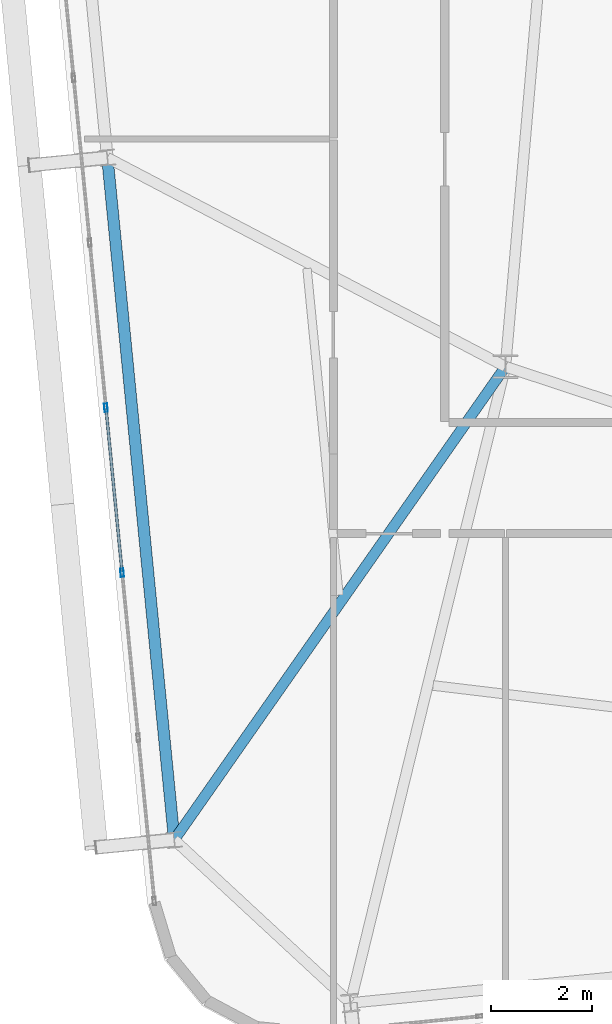
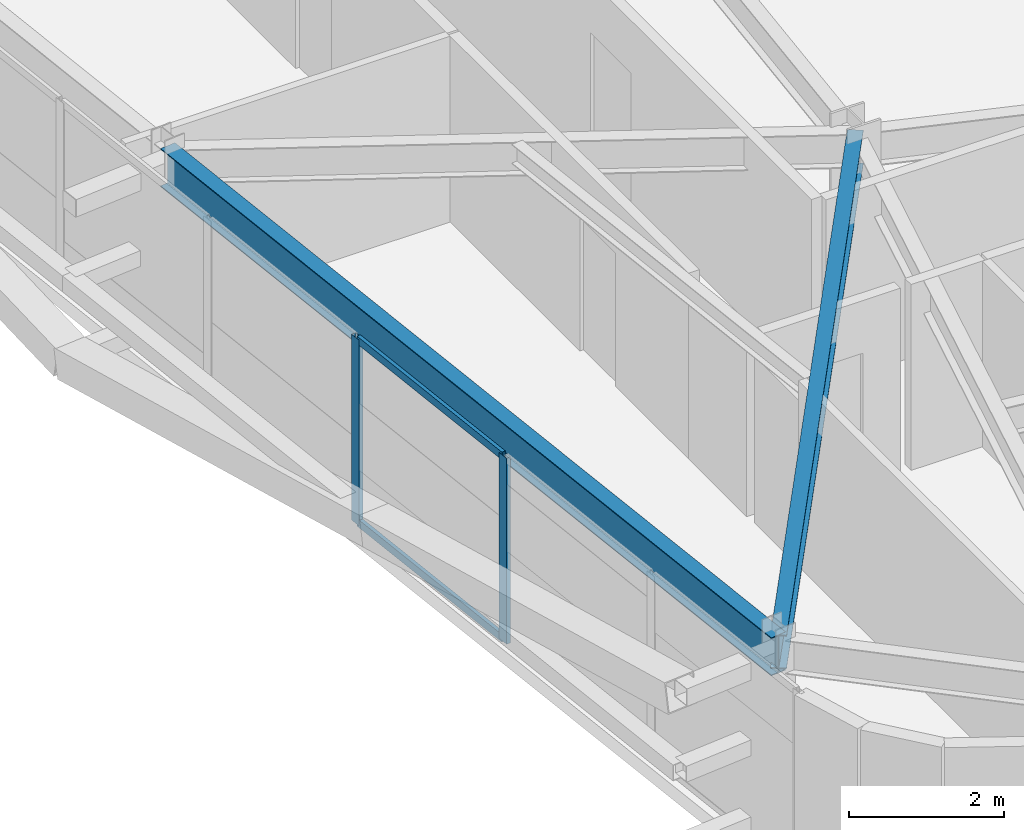
# One storey, part 8 of 52: 4 members, 2 beams, 1 element without a shape of its own.
"""IFC4 building model written with IfcOpenShell, lengths in metres."""

from ifc_helpers import new_model, si_unit, direction, frame, origin, origin_2d, place, context, subcontext, project, spatial, hollow_rectangle, i_section, extrude, source, transform, mapped, material, layer, layer_set, material_profile, profile_set, type_object, element, aggregate, save


model = new_model("IFC4")

# Units and contexts
model_context = context("Model", 3, precision=1e-05, world=origin(), true_north=direction((0.0, 1.0)))
body_context = subcontext(model_context, "Body", "Model", "MODEL_VIEW")
ifc_project = project(units=[si_unit("LENGTHUNIT", "METRE"), si_unit("AREAUNIT", "SQUARE_METRE"), si_unit("VOLUMEUNIT", "CUBIC_METRE"), si_unit("PLANEANGLEUNIT", "RADIAN"), si_unit("MASSUNIT", "GRAM", prefix="KILO")], contexts=[model_context])

# Site, building, storey
site_placement = place(None, origin())
site = spatial("IfcSite", under=ifc_project, at=site_placement, CompositionType="ELEMENT")
building_placement = place(site_placement, origin())
building = spatial("IfcBuilding", under=site, at=building_placement, Name="Taldren Reach Tower", CompositionType="ELEMENT")
storey_placement = place(building_placement, frame((0.0, 0.0, 96.60009765625)))
storey = spatial("IfcBuildingStorey", under=building, at=storey_placement, Name="L29", CompositionType="ELEMENT", Elevation=96.60009765625)

# Beams
ifc_material_1 = material(Name="Steel Gr 350 (350PLUS)", Category="steel")
ifc_material_profile_1 = material_profile(ifc_material_1, i_section(OverallWidth=0.22802734375, OverallDepth=0.60205078125, WebThickness=0.010498046875, FlangeThickness=0.014892578125, at=origin_2d()), Name="610UB101")
ifc_profile_set_1 = profile_set([ifc_material_profile_1], Name="Steel Gr 350 (350PLUS)")
beam_type_1 = type_object("IfcBeamType", Name="BM-UB610B", PredefinedType="BEAM", material=ifc_profile_set_1)
shared_shape_1 = source(origin(), body_context, "Body", "SweptSolid", [
    extrude(i_section(OverallWidth=0.22802734375, OverallDepth=0.60205078125, WebThickness=0.010498046875, FlangeThickness=0.014892578125, at=origin_2d()), origin(), (0.0, 0.0, 1.0), 13.550048828125),
])
beam_1_placement = place(storey_placement, frame((10.130615234375, 16.631103515625, 2.62890625), z_axis=(0.097584021339, -0.995227290009, 0.0), x_axis=(0.995227290009, 0.097584021339, 0.0)))
element("IfcBeam", 1, at=beam_1_placement, inside=storey, type_object=beam_type_1, Name="Perimeter gable girder B2 W2-W1 L29", PredefinedType="BEAM", context=body_context, shape_type="MappedRepresentation", body=[
    mapped(shared_shape_1, transform((0.0, 0.0, 0.0), scale=1.0)),
])
ifc_material_profile_2 = material_profile(ifc_material_1, i_section(OverallWidth=0.208984375, OverallDepth=0.532958984375, WebThickness=0.01025390625, FlangeThickness=0.015625, at=origin_2d()), Name="530UB92.4")
ifc_profile_set_2 = profile_set([ifc_material_profile_2], Name="Steel Gr 350 (350PLUS)")
beam_type_2 = type_object("IfcBeamType", Name="BM-UB530A", PredefinedType="BEAM", material=ifc_profile_set_2)
shared_shape_2 = source(origin(), body_context, "Body", "SweptSolid", [
    extrude(i_section(OverallWidth=0.208984375, OverallDepth=0.532958984375, WebThickness=0.01025390625, FlangeThickness=0.015625, at=origin_2d()), origin(), (0.0, 0.0, 1.0), 11.417724609375),
])
beam_2_placement = place(storey_placement, frame((18.0, 12.5, 2.663330078125), z_axis=(-0.573412116146, -0.819267077977, 0.0), x_axis=(0.819267077977, -0.573412116146, 0.0)))
element("IfcBeam", 2, at=beam_2_placement, inside=storey, type_object=beam_type_2, Name="Primary floor girder B2-W1 L29", PredefinedType="BEAM", context=body_context, shape_type="MappedRepresentation", body=[
    mapped(shared_shape_2, transform((0.0, 0.0, 0.0), scale=1.0)),
])

# Curtain wall, members
ifc_material_2 = material(Name="Aluminium and Low-E Glass Unitised System", Category="aluminium")
ifc_layer = layer(ifc_material_2, 0.159912109375)
ifc_layer_set = layer_set([ifc_layer], Name="Aluminium and Low-E Glass Unitised System")
curtain_wall_type = type_object("IfcCurtainWallType", Name="CW-SYS-3", PredefinedType="NOTDEFINED", material=ifc_layer_set)
curtain_wall_placement = place(storey_placement, origin())
curtain_wall = element("IfcCurtainWall", 3, at=curtain_wall_placement, inside=storey, type_object=curtain_wall_type, Name="Unitised curtain wall CW-L29-W", PredefinedType="NOTDEFINED")
ifc_material_3 = material(Name="Anodised Aluminium 6063-T6", Category="aluminium")
ifc_material_profile_3 = material_profile(ifc_material_3, hollow_rectangle(XDim=0.06494140625, YDim=0.1650390625, WallThickness=0.00390625, at=origin_2d()), Name="ALU-165x65x4RHS")
ifc_profile_set_3 = profile_set([ifc_material_profile_3], Name="Anodised Aluminium 6063-T6")
member_type_1 = type_object("IfcMemberType", Name="CW-MUL-165", PredefinedType="MULLION", material=ifc_profile_set_3)
shared_shape_3 = source(origin(), body_context, "Body", "SweptSolid", [
    extrude(hollow_rectangle(XDim=0.06494140625, YDim=0.1650390625, WallThickness=0.00390625, at=origin_2d()), origin(), (0.0, 0.0, 1.0), 2.929931640625),
])
member_1_placement = place(storey_placement, frame((10.102783203125, 11.688232421875, 0.0), z_axis=(0.0, 0.0, 1.0), x_axis=(0.99522741555, 0.09758274098, 0.0)))
member_1 = element("IfcMember", 4, at=member_1_placement, type_object=member_type_1, Name="CW-3 mullion 7", PredefinedType="MULLION", context=body_context, shape_type="MappedRepresentation", body=[
    mapped(shared_shape_3, transform((0.0, 0.0, 0.0), scale=1.0)),
])
member_2_placement = place(storey_placement, frame((10.422607421875, 8.426025390625, 0.0), z_axis=(0.0, 0.0, 1.0), x_axis=(0.99522741555, 0.09758274098, 0.0)))
member_2 = element("IfcMember", 5, at=member_2_placement, type_object=member_type_1, Name="CW-3 mullion 8", PredefinedType="MULLION", context=body_context, shape_type="MappedRepresentation", body=[
    mapped(shared_shape_3, transform((0.0, 0.0, 0.0), scale=1.0)),
])
ifc_material_profile_4 = material_profile(ifc_material_3, hollow_rectangle(XDim=0.054931640625, YDim=0.1201171875, WallThickness=0.0029296875, at=origin_2d()), Name="ALU-120x55x3RHS")
ifc_profile_set_4 = profile_set([ifc_material_profile_4], Name="Anodised Aluminium 6063-T6")
member_type_2 = type_object("IfcMemberType", Name="CW-TRN-135", PredefinedType="USERDEFINED", material=ifc_profile_set_4)
shared_shape_4 = source(origin(), body_context, "Body", "SweptSolid", [
    extrude(hollow_rectangle(XDim=0.054931640625, YDim=0.1201171875, WallThickness=0.0029296875, at=origin_2d()), origin(), (0.0, 0.0, 1.0), 3.212890625),
])
member_3_placement = place(storey_placement, frame((10.10595703125, 11.65576171875, 0.02734375), z_axis=(0.097569948235, -0.995228669805, 0.0), x_axis=(0.995228669805, 0.097569948235, 0.0)))
member_3 = element("IfcMember", 6, at=member_3_placement, type_object=member_type_2, Name="CW-3 transom 7.1", ObjectType="TRANSOM", PredefinedType="USERDEFINED", context=body_context, shape_type="MappedRepresentation", body=[
    mapped(shared_shape_4, transform((0.0, 0.0, 0.0), scale=1.0)),
])
member_4_placement = place(storey_placement, frame((10.10595703125, 11.65576171875, 2.90234375), z_axis=(0.097569948235, -0.995228669805, 0.0), x_axis=(0.995228669805, 0.097569948235, 0.0)))
member_4 = element("IfcMember", 7, at=member_4_placement, type_object=member_type_2, Name="CW-3 transom 7.2", ObjectType="TRANSOM", PredefinedType="USERDEFINED", context=body_context, shape_type="MappedRepresentation", body=[
    mapped(shared_shape_4, transform((0.0, 0.0, 0.0), scale=1.0)),
])
aggregate(curtain_wall, [member_1, member_2, member_3, member_4])

save(model, "model.ifc")
